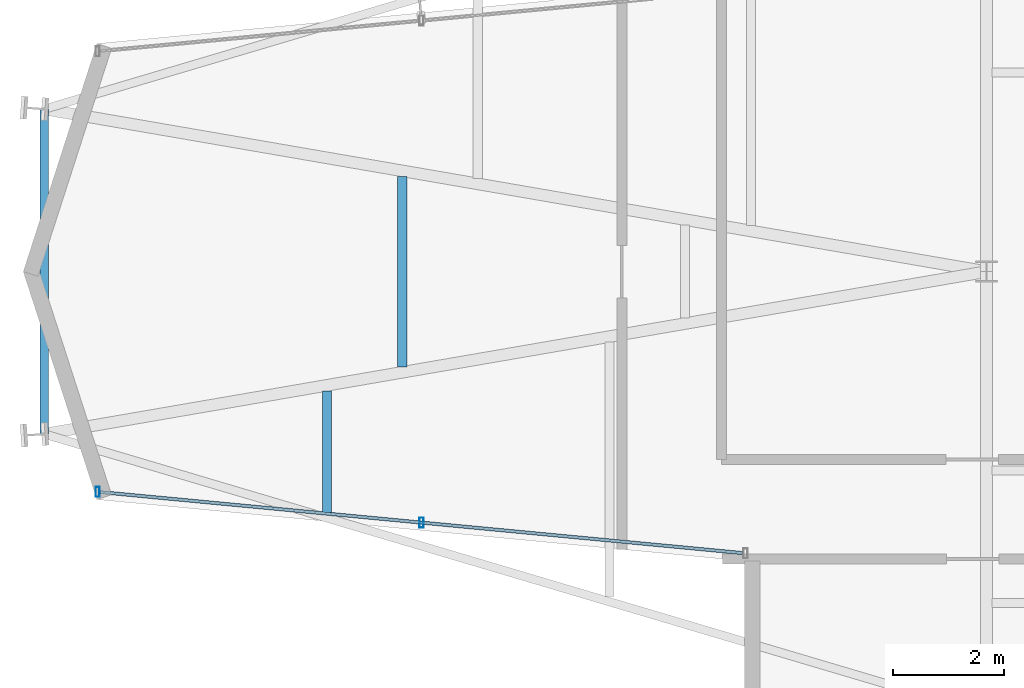
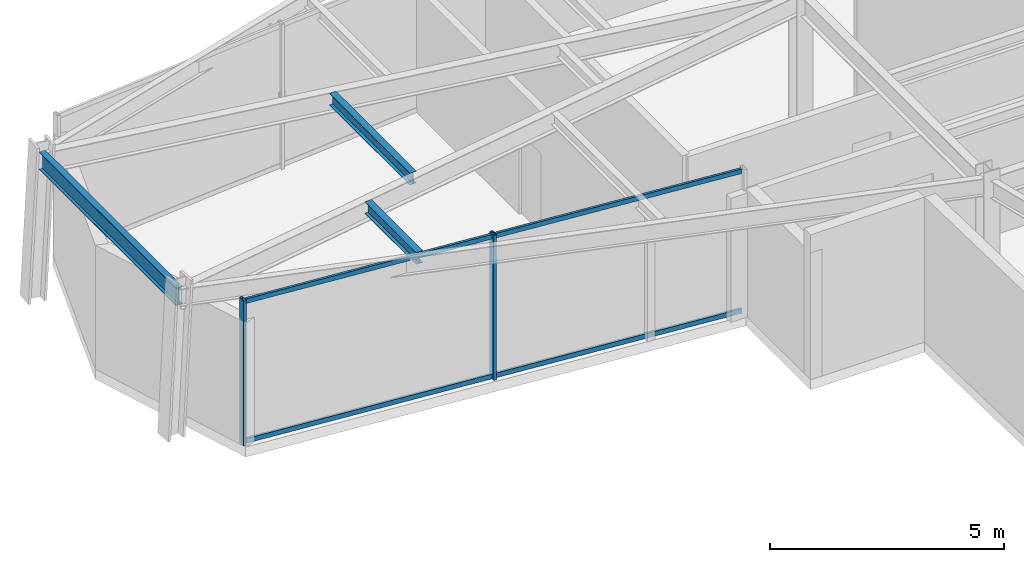
# One storey, part 2 of 21: 4 members, 3 beams, 1 element without a shape of its own.
"""IFC4 building model written with IfcOpenShell, lengths in metres."""

from ifc_helpers import new_model, si_unit, direction, frame, origin, origin_2d, place, context, subcontext, project, spatial, hollow_rectangle, i_section, extrude, material, layer, layer_set, material_profile, profile_set, type_object, element, aggregate, save


model = new_model("IFC4")

# Units and contexts
model_context = context("Model", 3, precision=1e-05, world=origin(), true_north=direction((0.0, 1.0)))
body_context = subcontext(model_context, "Body", "Model", "MODEL_VIEW")
ifc_project = project(units=[si_unit("LENGTHUNIT", "METRE"), si_unit("AREAUNIT", "SQUARE_METRE"), si_unit("VOLUMEUNIT", "CUBIC_METRE"), si_unit("PLANEANGLEUNIT", "RADIAN"), si_unit("MASSUNIT", "GRAM", prefix="KILO")], contexts=[model_context])

# Site, building, storey
site_placement = place(None, origin())
site = spatial("IfcSite", under=ifc_project, at=site_placement, CompositionType="ELEMENT")
building_placement = place(site_placement, origin())
building = spatial("IfcBuilding", under=site, at=building_placement, Name="Veymaron Broadcast Tower", CompositionType="ELEMENT")
storey_placement = place(building_placement, frame((0.0, 0.0, 232.35009765625)))
storey = spatial("IfcBuildingStorey", under=building, at=storey_placement, Name="L54", CompositionType="ELEMENT", Elevation=232.35009765625)

# Beams
ifc_material_1 = material(Name="Structural steel ASTM A992 Gr 50", Category="steel")
ifc_material_profile_1 = material_profile(ifc_material_1, i_section(OverallWidth=0.1650390625, OverallDepth=0.31005859375, WebThickness=0.005859375, FlangeThickness=0.009765625, at=origin_2d()), Name="W310X39")
ifc_profile_set_1 = profile_set([ifc_material_profile_1], Name="Structural steel ASTM A992 Gr 50")
beam_type_1 = type_object("IfcBeamType", Name="BM-JS3", PredefinedType="JOIST", material=ifc_profile_set_1)
beam_1_placement = place(storey_placement, frame((19.263671875, 19.64208984375, 3.635009765625), z_axis=(0.0, 1.0, 0.0), x_axis=(-1.0, 0.0, 0.0)))
element("IfcBeam", 1, at=beam_1_placement, inside=storey, type_object=beam_type_1, Name="L54 Arm-A secondary joist 1S", PredefinedType="JOIST", context=body_context, shape_type="SweptSolid", body=[
    extrude(i_section(OverallWidth=0.1650390625, OverallDepth=0.31005859375, WebThickness=0.005859375, FlangeThickness=0.009765625, at=origin_2d()), origin(), (0.0, 0.0, 1.0), 2.199951171875),
])
beam_2_placement = place(storey_placement, frame((20.627685546875, 22.277099609375, 3.635009765625), z_axis=(0.0, 1.0, 0.0), x_axis=(-1.0, 0.0, 0.0)))
element("IfcBeam", 2, at=beam_2_placement, inside=storey, type_object=beam_type_1, Name="L54 Arm-A secondary joist 1M", PredefinedType="JOIST", context=body_context, shape_type="SweptSolid", body=[
    extrude(i_section(OverallWidth=0.1650390625, OverallDepth=0.31005859375, WebThickness=0.005859375, FlangeThickness=0.009765625, at=origin_2d()), origin(), (0.0, 0.0, 1.0), 3.44580078125),
])
ifc_material_profile_2 = material_profile(ifc_material_1, i_section(OverallWidth=0.154052734375, OverallDepth=0.458984375, WebThickness=0.009033203125, FlangeThickness=0.015380859375, at=origin_2d()), Name="W460X68")
ifc_profile_set_2 = profile_set([ifc_material_profile_2], Name="Structural steel ASTM A992 Gr 50")
beam_type_2 = type_object("IfcBeamType", Name="BM-SP2", PredefinedType="SPANDREL", material=ifc_profile_set_2)
beam_3_placement = place(storey_placement, frame((14.14794921875, 21.06005859375, 3.560302734375), z_axis=(0.0, 1.0, 0.0), x_axis=(-1.0, 0.0, 0.0)))
element("IfcBeam", 3, at=beam_3_placement, inside=storey, type_object=beam_type_2, Name="L54 primary structural floor girder", PredefinedType="SPANDREL", context=body_context, shape_type="SweptSolid", body=[
    extrude(i_section(OverallWidth=0.154052734375, OverallDepth=0.458984375, WebThickness=0.009033203125, FlangeThickness=0.015380859375, at=origin_2d()), origin(), (0.0, 0.0, 1.0), 5.8798828125),
])

# Curtain wall, members
ifc_material_2 = material(Name="Anodised aluminium AA 6063-T6 and laminated low-E dark glass", Category="aluminium")
ifc_layer = layer(ifc_material_2, 0.179931640625)
ifc_layer_set = layer_set([ifc_layer], Name="Anodised aluminium AA 6063-T6 and laminated low-E dark glass")
curtain_wall_type = type_object("IfcCurtainWallType", Name="CW-SYS-05", PredefinedType="NOTDEFINED", material=ifc_layer_set)
curtain_wall_placement = place(storey_placement, origin())
curtain_wall = element("IfcCurtainWall", 4, at=curtain_wall_placement, inside=storey, type_object=curtain_wall_type, Name="L54 dark-glass curtain wall CW-L54-E14-1", PredefinedType="NOTDEFINED")
ifc_material_3 = material(Name="Anodised aluminium AA 6063-T6", Category="aluminium")
ifc_material_profile_3 = material_profile(ifc_material_3, hollow_rectangle(XDim=0.074951171875, YDim=0.179931640625, WallThickness=0.0048828125, at=origin_2d()), Name="AL180X75X5")
ifc_profile_set_3 = profile_set([ifc_material_profile_3], Name="Anodised aluminium AA 6063-T6")
member_type_1 = type_object("IfcMemberType", Name="CW-MUL-02", PredefinedType="MULLION", material=ifc_profile_set_3)
member_1_placement = place(storey_placement, frame((15.11328125, 20.013916015625, 0.0), z_axis=(0.0, 0.0, 1.0), x_axis=(1.0, 0.0, 0.0)))
member_1 = element("IfcMember", 5, at=member_1_placement, type_object=member_type_1, Name="CW-L54-E14-1 mullion 0", PredefinedType="MULLION", context=body_context, shape_type="SweptSolid", body=[
    extrude(hollow_rectangle(XDim=0.074951171875, YDim=0.179931640625, WallThickness=0.0048828125, at=origin_2d()), origin(), (0.0, 0.0, 1.0), 3.789794921875),
])
member_2_placement = place(storey_placement, frame((20.97509765625, 19.45751953125, 0.0), z_axis=(0.0, 0.0, 1.0), x_axis=(1.0, 0.0, 0.0)))
member_2 = element("IfcMember", 6, at=member_2_placement, type_object=member_type_1, Name="CW-L54-E14-1 mullion 1", PredefinedType="MULLION", context=body_context, shape_type="SweptSolid", body=[
    extrude(hollow_rectangle(XDim=0.074951171875, YDim=0.179931640625, WallThickness=0.0048828125, at=origin_2d()), origin(), (0.0, 0.0, 1.0), 3.789794921875),
])
ifc_material_profile_4 = material_profile(ifc_material_3, hollow_rectangle(XDim=0.06005859375, YDim=0.1201171875, WallThickness=0.00390625, at=origin_2d()), Name="AL120X60X4")
ifc_profile_set_4 = profile_set([ifc_material_profile_4], Name="Anodised aluminium AA 6063-T6")
member_type_2 = type_object("IfcMemberType", Name="CW-TRN-02", PredefinedType="USERDEFINED", material=ifc_profile_set_4)
member_3_placement = place(storey_placement, frame((15.1630859375, 20.00927734375, 0.06982421875), z_axis=(0.995522214706, -0.094527879627, 0.0), x_axis=(0.094527879627, 0.995522214706, 0.0)))
member_3 = element("IfcMember", 7, at=member_3_placement, type_object=member_type_2, Name="CW-L54-E14-1 transom B", ObjectType="TRANSOM", PredefinedType="USERDEFINED", context=body_context, shape_type="SweptSolid", body=[
    extrude(hollow_rectangle(XDim=0.06005859375, YDim=0.1201171875, WallThickness=0.00390625, at=origin_2d()), origin(), (0.0, 0.0, 1.0), 11.676513671875),
])
member_4_placement = place(storey_placement, frame((15.1630859375, 20.00927734375, 3.719970703125), z_axis=(0.995522214706, -0.094527879627, 0.0), x_axis=(0.094527879627, 0.995522214706, 0.0)))
member_4 = element("IfcMember", 8, at=member_4_placement, type_object=member_type_2, Name="CW-L54-E14-1 transom T", ObjectType="TRANSOM", PredefinedType="USERDEFINED", context=body_context, shape_type="SweptSolid", body=[
    extrude(hollow_rectangle(XDim=0.06005859375, YDim=0.1201171875, WallThickness=0.00390625, at=origin_2d()), origin(), (0.0, 0.0, 1.0), 11.676513671875),
])
aggregate(curtain_wall, [member_1, member_2, member_3, member_4])

save(model, "model.ifc")
